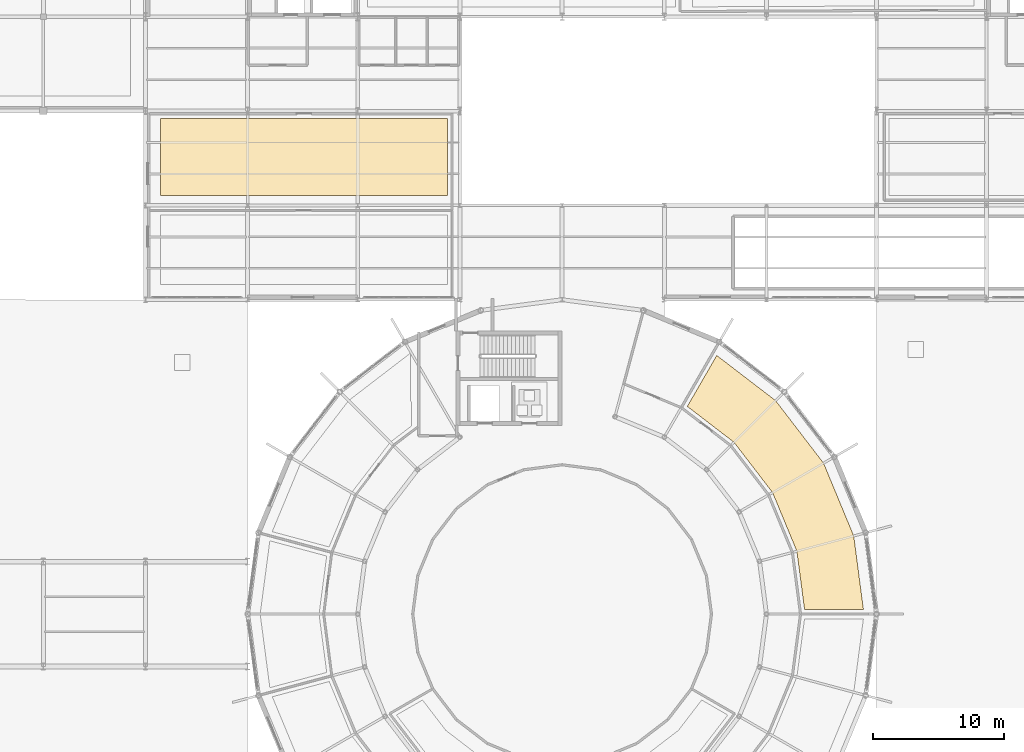
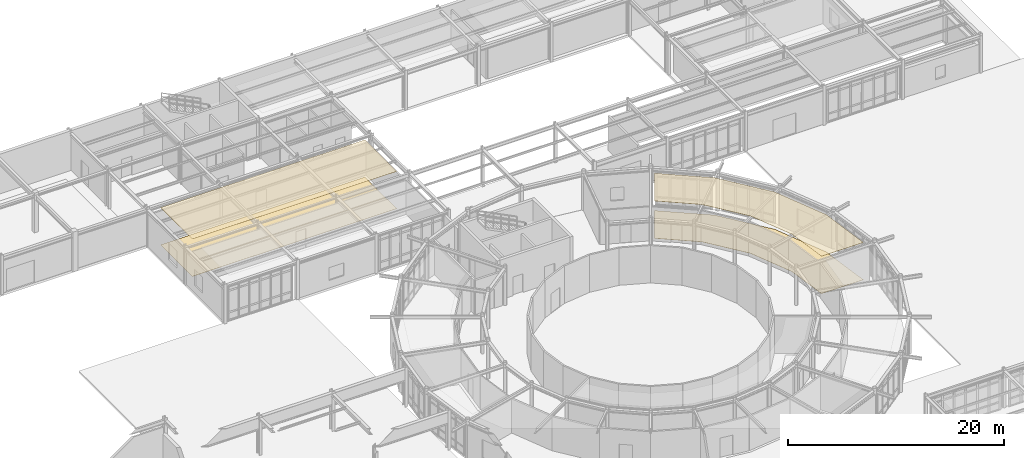
# One storey, part 96 of 101: 4 coverings.
"""IFC4 building model written with IfcOpenShell, lengths in metres."""

from ifc_helpers import new_model, si_unit, derived_unit, direction, frame, origin, place, context, subcontext, project, spatial, polyline, outline, extrude, material, layer, layer_set, type_object, element, save


model = new_model("IFC4")

# Units and contexts
model_context = context("Model", 3, precision=1e-05, world=origin(), true_north=direction((0.0, 1.0)))
body_context = subcontext(model_context, "Body", "Model", "MODEL_VIEW")
ifc_project = project(units=[si_unit("LENGTHUNIT", "METRE"), si_unit("AREAUNIT", "SQUARE_METRE"), si_unit("VOLUMEUNIT", "CUBIC_METRE"), si_unit("PLANEANGLEUNIT", "RADIAN"), si_unit("MASSUNIT", "GRAM", prefix="KILO"), derived_unit("THERMALTRANSMITTANCEUNIT", [(si_unit("POWERUNIT", "WATT"), 1), (si_unit("AREAUNIT", "SQUARE_METRE"), -1), (si_unit("THERMODYNAMICTEMPERATUREUNIT", "KELVIN"), -1)])], contexts=[model_context])

# Site, building, storey
site_placement = place(None, origin())
site = spatial("IfcSite", under=ifc_project, at=site_placement, CompositionType="ELEMENT")
building_placement = place(site_placement, origin())
building = spatial("IfcBuilding", under=site, at=building_placement, Name="Yasenodar Specialist Clinic", CompositionType="ELEMENT")
storey_placement = place(building_placement, origin())
storey = spatial("IfcBuildingStorey", under=building, at=storey_placement, Name="L00", CompositionType="ELEMENT", Elevation=0.0)

# Coverings
ifc_material_1 = material(Name="Hygienic Acoustic Mineral-Fibre Ceiling")
ifc_layer_1 = layer(ifc_material_1, 0.02490234375)
ifc_layer_set_1 = layer_set([ifc_layer_1], Name="Hygienic Acoustic Mineral-Fibre Ceiling")
covering_type_1 = type_object("IfcCoveringType", Name="COV-CEIL-AC", PredefinedType="CEILING", material=ifc_layer_set_1)
covering_1_placement = place(storey_placement, frame((0.0, 0.0, 4.22509765625)))
element("IfcCovering", 1, at=covering_1_placement, inside=storey, type_object=covering_type_1, Name="L00 Chemotherapy Day Infusion Suite A Acoustic Ceiling", PredefinedType="CEILING", context=body_context, shape_type="SweptSolid", body=[
    extrude(outline(polyline([(98.922119140625, 63.5859375), (98.9140625, 63.615966796875), (98.903076171875, 63.64404296875), (97.0849609375, 68.033935546875), (97.072021484375, 68.06201171875), (97.056884765625, 68.087890625), (97.0390625, 68.113037109375), (94.14697265625, 71.882080078125), (94.126953125, 71.906005859375), (94.10595703125, 71.927001953125), (94.08203125, 71.947021484375), (90.556884765625, 74.653076171875), (92.803955078125, 78.5439453125), (97.297119140625, 75.096923828125), (100.958984375, 70.322998046875), (103.261962890625, 64.764892578125), (104.0009765625, 59.14990234375), (99.507080078125, 59.14990234375), (98.927001953125, 63.555908203125), (98.922119140625, 63.5859375)])), origin(), (0.0, 0.0, 1.0), 0.02490234375),
])
covering_2_placement = place(storey_placement, frame((0.0, 0.0, 4.22509765625)))
element("IfcCovering", 2, at=covering_2_placement, inside=storey, type_object=covering_type_1, Name="L00 Pre-Operative Assessment Clinic Acoustic Ceiling", PredefinedType="CEILING", context=body_context, shape_type="SweptSolid", body=[
    extrude(outline(polyline([(72.25, 90.75), (50.35009765625, 90.75), (50.35009765625, 96.64990234375), (72.25, 96.64990234375), (72.25, 90.75)])), origin(), (0.0, 0.0, 1.0), 0.02490234375),
])
ifc_material_2 = material(Name="Seamless Epoxy Terrazzo Clinical Flooring")
ifc_layer_2 = layer(ifc_material_2, 0.02001953125)
ifc_layer_set_2 = layer_set([ifc_layer_2], Name="Seamless Epoxy Terrazzo Clinical Flooring")
covering_type_2 = type_object("IfcCoveringType", Name="COV-FLR-TERR", PredefinedType="FLOORING", material=ifc_layer_set_2)
covering_3_placement = place(storey_placement, origin())
element("IfcCovering", 3, at=covering_3_placement, inside=storey, type_object=covering_type_2, Name="L00 Chemotherapy Day Infusion Suite A Terrazzo Flooring", PredefinedType="FLOORING", context=body_context, shape_type="SweptSolid", body=[
    extrude(outline(polyline([(98.922119140625, 63.5859375), (98.9140625, 63.615966796875), (98.903076171875, 63.64404296875), (97.0849609375, 68.033935546875), (97.072021484375, 68.06201171875), (97.056884765625, 68.087890625), (97.0390625, 68.113037109375), (94.14697265625, 71.882080078125), (94.126953125, 71.906005859375), (94.10595703125, 71.927001953125), (94.08203125, 71.947021484375), (90.556884765625, 74.653076171875), (92.803955078125, 78.5439453125), (97.297119140625, 75.096923828125), (100.958984375, 70.322998046875), (103.261962890625, 64.764892578125), (104.0009765625, 59.14990234375), (99.507080078125, 59.14990234375), (98.927001953125, 63.555908203125), (98.922119140625, 63.5859375)])), origin(), (0.0, 0.0, 1.0), 0.02001953125),
])
covering_4_placement = place(storey_placement, origin())
element("IfcCovering", 4, at=covering_4_placement, inside=storey, type_object=covering_type_2, Name="L00 Pre-Operative Assessment Clinic Terrazzo Flooring", PredefinedType="FLOORING", context=body_context, shape_type="SweptSolid", body=[
    extrude(outline(polyline([(72.25, 90.75), (50.35009765625, 90.75), (50.35009765625, 96.64990234375), (72.25, 96.64990234375), (72.25, 90.75)])), origin(), (0.0, 0.0, 1.0), 0.02001953125),
])

save(model, "model.ifc")
